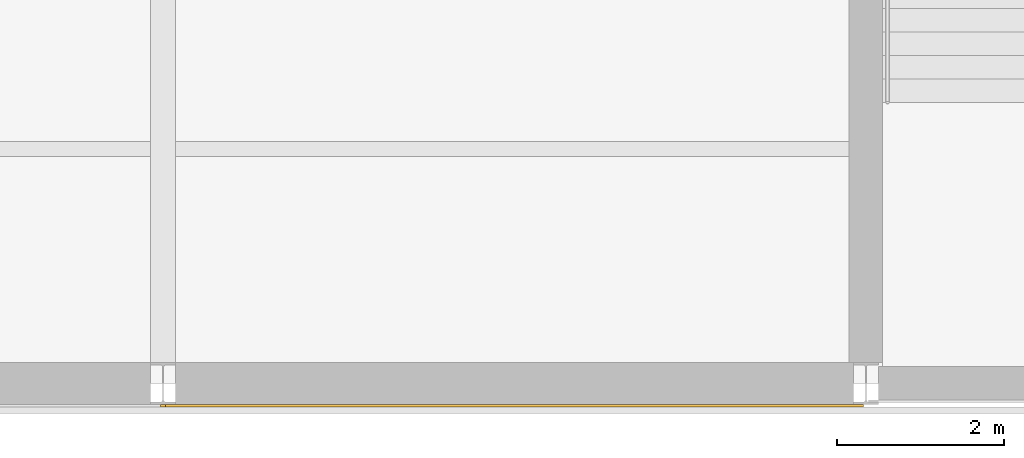
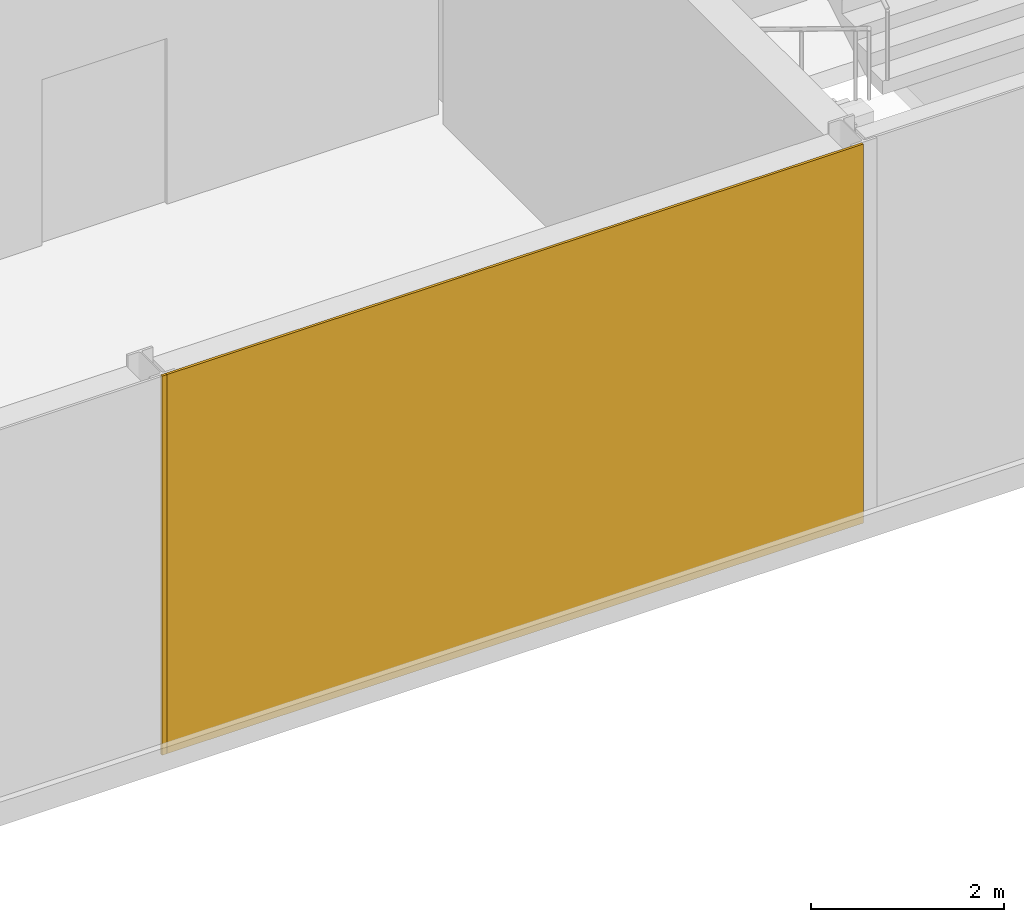
# One storey, part 45 of 61: 2 coverings.
"""IFC4 building model written with IfcOpenShell, lengths in metres."""

from ifc_helpers import new_model, si_unit, direction, frame, origin, origin_2d, place, context, subcontext, project, spatial, rectangle, extrude, material, layer, layer_set, type_object, element, save


model = new_model("IFC4")

# Units and contexts
model_context = context("Model", 3, precision=1e-05, world=origin(), true_north=direction((0.0, 1.0)))
body_context = subcontext(model_context, "Body", "Model", "MODEL_VIEW")
ifc_project = project(units=[si_unit("LENGTHUNIT", "METRE"), si_unit("AREAUNIT", "SQUARE_METRE"), si_unit("VOLUMEUNIT", "CUBIC_METRE"), si_unit("PLANEANGLEUNIT", "RADIAN"), si_unit("MASSUNIT", "GRAM", prefix="KILO")], contexts=[model_context])

# Site, building, storey
site_placement = place(None, origin())
site = spatial("IfcSite", under=ifc_project, at=site_placement, CompositionType="ELEMENT")
building_placement = place(site_placement, origin())
building = spatial("IfcBuilding", under=site, at=building_placement, Name="Galleria Vessillo Department Store", CompositionType="ELEMENT")
storey_placement = place(building_placement, frame((0.0, 0.0, 11.39990234375)))
storey = spatial("IfcBuildingStorey", under=building, at=storey_placement, Name="L02", CompositionType="ELEMENT", Elevation=11.39990234375)

# Coverings
ifc_material = material(Name="Lime plaster (intonaco) ochre")
ifc_layer = layer(ifc_material, 0.030029296875)
ifc_layer_set = layer_set([ifc_layer], Name="Lime plaster (intonaco) ochre")
covering_type = type_object("IfcCoveringType", Name="Lime plaster render 30 mm", PredefinedType="CLADDING", material=ifc_layer_set)
covering_1_placement = place(storey_placement, frame((29.39990234375, -0.264892578125, 0.0), z_axis=(0.0, 0.0, 1.0), x_axis=(1.0, 0.0, 0.0)))
element("IfcCovering", 1, at=covering_1_placement, inside=storey, type_object=covering_type, Name="Wall cladding S-PS-L02-03", PredefinedType="CLADDING", context=body_context, shape_type="SweptSolid", body=[
    extrude(rectangle(XDim=8.34033203125, YDim=0.030029296875, at=origin_2d()), origin(), (0.0, 0.0, 1.0), 4.800048828125),
])
covering_2_placement = place(storey_placement, frame((25.199951171875, -0.264892578125, 0.0), z_axis=(0.0, 0.0, 1.0), x_axis=(1.0, 0.0, 0.0)))
element("IfcCovering", 2, at=covering_2_placement, inside=storey, type_object=covering_type, Name="Joint block Wall cladding S-PS-L02-02", PredefinedType="CLADDING", context=body_context, shape_type="SweptSolid", body=[
    extrude(rectangle(XDim=0.059814453125, YDim=0.030029296875, at=origin_2d()), origin(), (0.0, 0.0, 1.0), 4.800048828125),
])

save(model, "model.ifc")
